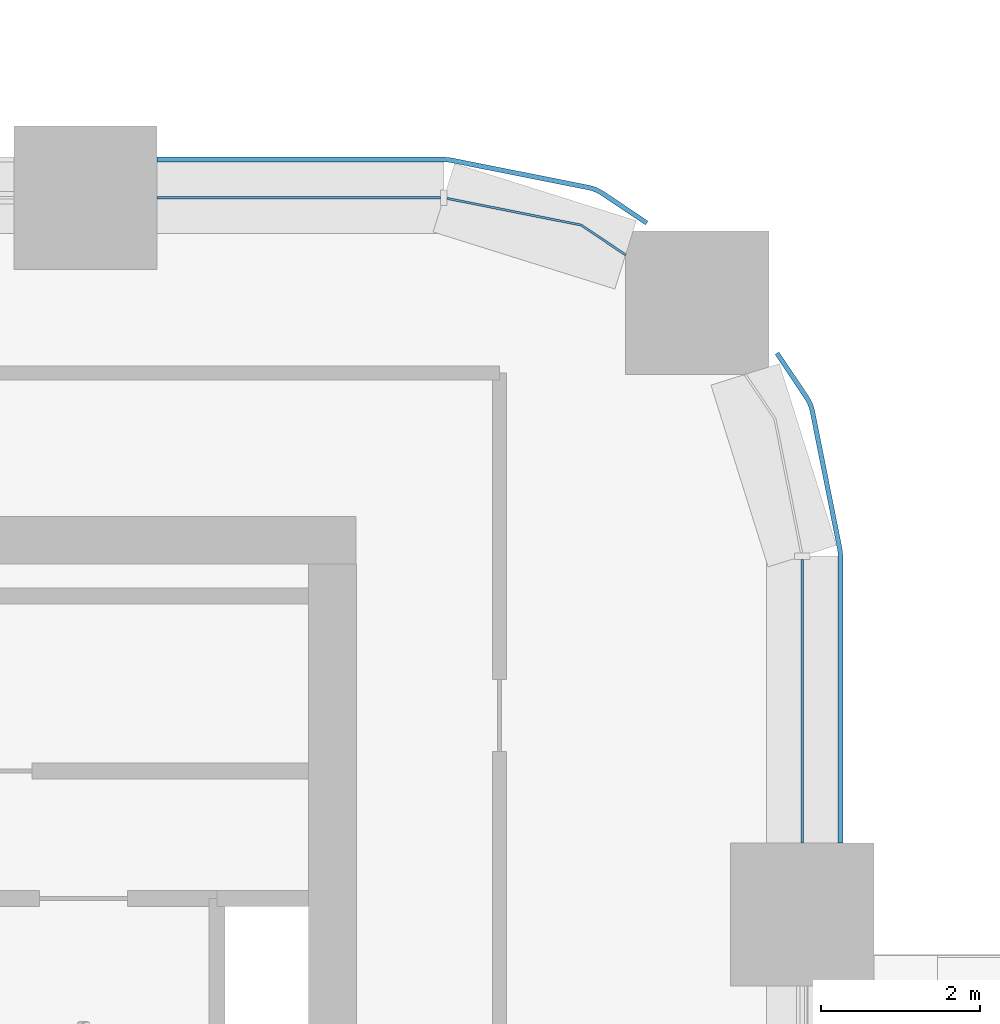
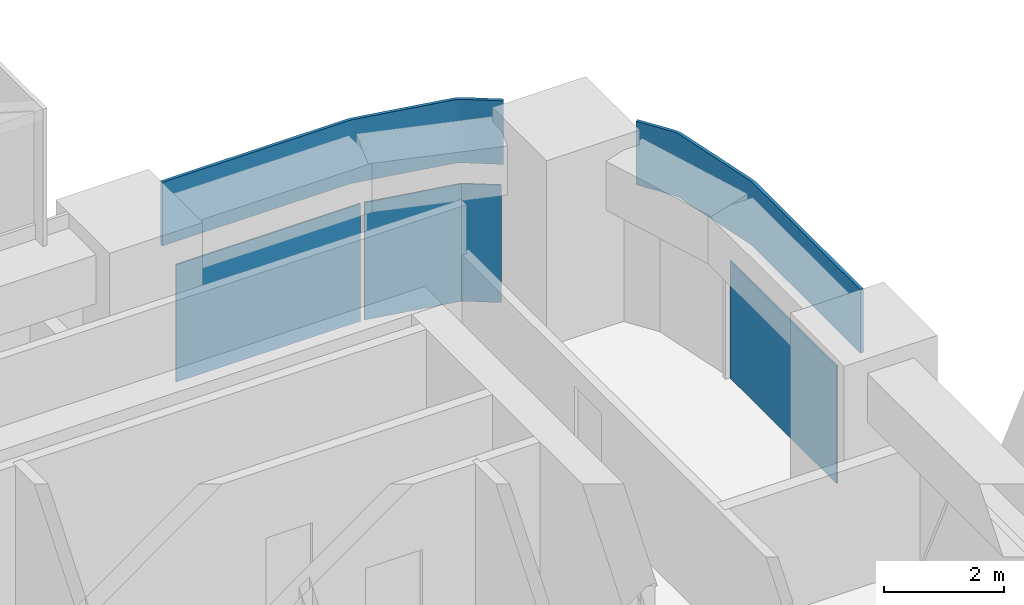
# One storey, part 14 of 26: 5 plates, 2 elements without a shape of their own.
"""IFC4 building model written with IfcOpenShell, lengths in metres."""

from ifc_helpers import new_model, si_unit, direction, frame, origin, origin_2d, place, context, subcontext, project, spatial, polyline, rectangle, outline, extrude, material, layer, layer_set, type_object, element, aggregate, save


model = new_model("IFC4")

# Units and contexts
model_context = context("Model", 3, precision=1e-05, world=origin(), true_north=direction((0.0, 1.0)))
body_context = subcontext(model_context, "Body", "Model", "MODEL_VIEW")
ifc_project = project(units=[si_unit("LENGTHUNIT", "METRE"), si_unit("AREAUNIT", "SQUARE_METRE"), si_unit("VOLUMEUNIT", "CUBIC_METRE"), si_unit("PLANEANGLEUNIT", "RADIAN"), si_unit("MASSUNIT", "GRAM", prefix="KILO")], contexts=[model_context])

# Site, building, storey
site_placement = place(None, origin())
site = spatial("IfcSite", under=ifc_project, at=site_placement, CompositionType="ELEMENT")
building_placement = place(site_placement, origin())
building = spatial("IfcBuilding", under=site, at=building_placement, Name="Tessera Arch", CompositionType="ELEMENT")
storey_placement = place(building_placement, frame((0.0, 0.0, 31.0)))
storey = spatial("IfcBuildingStorey", under=building, at=storey_placement, Name="L05", CompositionType="ELEMENT", Elevation=31.0)

# Curtain wall, plate
ifc_material_1 = material(Name="CW2 curtain wall")
curtain_wall_type = type_object("IfcCurtainWallType", Name="CW2 curtain wall", PredefinedType="NOTDEFINED", material=ifc_material_1)
curtain_wall_1_placement = place(storey_placement, origin())
curtain_wall_1 = element("IfcCurtainWall", 1, at=curtain_wall_1_placement, inside=storey, type_object=curtain_wall_type, Name="CW2 curtain wall E54.0/5 L05", PredefinedType="NOTDEFINED")
ifc_material_2 = material(Name="Clear low-e glass", Category="glass")
ifc_material_3 = material(Name="Clear low-e glass", Category="glass")
ifc_layer_1 = layer(ifc_material_3, 0.028076171875)
ifc_layer_set_1 = layer_set([ifc_layer_1], Name="CW2 glass panel")
plate_type_1 = type_object("IfcPlateType", Name="CW2 glass panel", PredefinedType="CURTAIN_PANEL", material=ifc_layer_set_1)
plate_1_placement = place(storey_placement, frame((54.0, 47.679931640625, 0.0), z_axis=(0.0, 0.0, 1.0), x_axis=(0.0, 1.0, 0.0)))
plate_1 = element("IfcPlate", 2, at=plate_1_placement, type_object=plate_type_1, material=ifc_material_2, Name="CW2 glass panel E54.0/5 1.1", PredefinedType="CURTAIN_PANEL", context=body_context, shape_type="SweptSolid", body=[
    extrude(rectangle(XDim=3.56005859375, YDim=0.028076171875, at=origin_2d()), origin(), (0.0, 0.0, 1.0), 2.39990234375),
])

# Curtain wall, plates
curtain_wall_2_placement = place(storey_placement, origin())
curtain_wall_2 = element("IfcCurtainWall", 3, at=curtain_wall_2_placement, inside=storey, type_object=curtain_wall_type, Name="CW2 curtain wall N54.0/0 L05", PredefinedType="NOTDEFINED")
plate_2_placement = place(storey_placement, frame((47.679931640625, 54.0, 0.0), z_axis=(0.0, 0.0, 1.0), x_axis=(-1.0, 0.0, 0.0)))
plate_2 = element("IfcPlate", 4, at=plate_2_placement, type_object=plate_type_1, material=ifc_material_2, Name="CW2 glass panel N54.0/0 1.1", PredefinedType="CURTAIN_PANEL", context=body_context, shape_type="SweptSolid", body=[
    extrude(rectangle(XDim=3.56005859375, YDim=0.028076171875, at=origin_2d()), origin(), (0.0, 0.0, 1.0), 2.39990234375),
])
plate_3_placement = place(storey_placement, origin())
plate_3 = element("IfcPlate", 5, at=plate_3_placement, type_object=plate_type_1, material=ifc_material_2, Name="CW2 curved glass panel N54.0/0 2.1", PredefinedType="CURTAIN_PANEL", context=body_context, shape_type="SweptSolid", body=[
    extrude(outline(polyline([(51.216552734375, 53.644287109375), (51.774169921875, 53.271728515625), (51.789794921875, 53.294921875), (51.2275390625, 53.670654296875), (49.5419921875, 54.005859375), (49.53662109375, 53.978515625), (51.216552734375, 53.644287109375)])), origin(), (0.0, 0.0, 1.0), 2.39990234375),
])

# Plate
ifc_material_4 = material(Name="Pale anodised aluminium panel", Category="aluminium")
ifc_layer_2 = layer(ifc_material_4, 0.06005859375)
ifc_layer_set_2 = layer_set([ifc_layer_2], Name="CW2 spandrel panel")
plate_type_2 = type_object("IfcPlateType", Name="CW2 spandrel panel", PredefinedType="CURTAIN_PANEL", material=ifc_layer_set_2)
plate_4_placement = place(storey_placement, frame((0.0, 0.0, 2.5)))
plate_4 = element("IfcPlate", 6, at=plate_4_placement, type_object=plate_type_2, Name="CW2 spandrel panel E54.0/5", PredefinedType="CURTAIN_PANEL", context=body_context, shape_type="SweptSolid", body=[
    extrude(outline(polyline([(54.449951171875, 49.499267578125), (54.449951171875, 45.89990234375), (54.510009765625, 45.89990234375), (54.510009765625, 49.500732421875), (54.507568359375, 49.550048828125), (54.500244140625, 49.598876953125), (54.157470703125, 51.322265625), (54.1455078125, 51.3701171875), (54.128662109375, 51.417236328125), (54.107177734375, 51.462646484375), (54.08203125, 51.5048828125), (53.707275390625, 52.0654296875), (53.657470703125, 52.031982421875), (54.03125, 51.47265625), (54.05419921875, 51.434326171875), (54.0732421875, 51.394287109375), (54.088134765625, 51.352783203125), (54.09912109375, 51.30908203125), (54.441162109375, 49.588623046875), (54.44775390625, 49.544189453125), (54.449951171875, 49.499267578125)])), origin(), (0.0, 0.0, 1.0), 1.300048828125),
])

aggregate(curtain_wall_1, [plate_1, plate_4])

plate_5_placement = place(storey_placement, frame((0.0, 0.0, 2.5)))
plate_5 = element("IfcPlate", 7, at=plate_5_placement, type_object=plate_type_2, Name="CW2 spandrel panel N54.0/0", PredefinedType="CURTAIN_PANEL", context=body_context, shape_type="SweptSolid", body=[
    extrude(outline(polyline([(51.47265625, 54.03125), (52.031982421875, 53.657470703125), (52.0654296875, 53.707275390625), (51.5048828125, 54.08203125), (51.462646484375, 54.107177734375), (51.417236328125, 54.128662109375), (51.3701171875, 54.1455078125), (51.322265625, 54.157470703125), (49.598876953125, 54.500244140625), (49.550048828125, 54.507568359375), (49.500732421875, 54.510009765625), (45.89990234375, 54.510009765625), (45.89990234375, 54.449951171875), (49.499267578125, 54.449951171875), (49.544189453125, 54.44775390625), (49.588623046875, 54.441162109375), (51.30908203125, 54.09912109375), (51.352783203125, 54.088134765625), (51.394287109375, 54.0732421875), (51.434326171875, 54.05419921875), (51.47265625, 54.03125)])), origin(), (0.0, 0.0, 1.0), 1.300048828125),
])

aggregate(curtain_wall_2, [plate_2, plate_3, plate_5])

save(model, "model.ifc")
